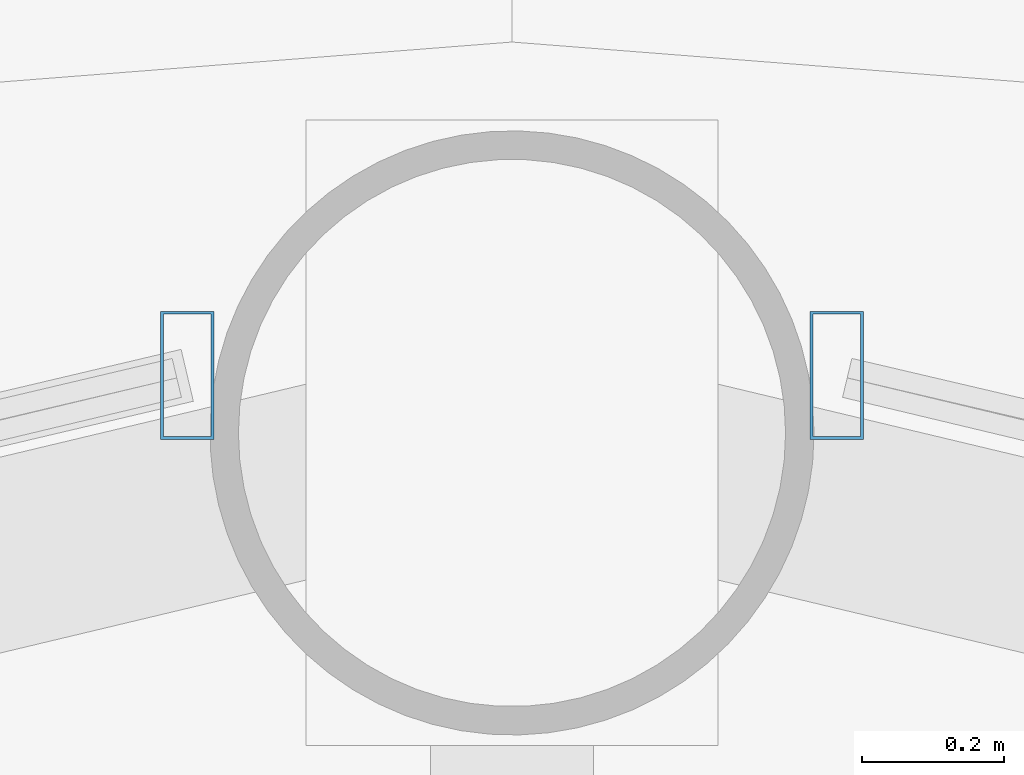
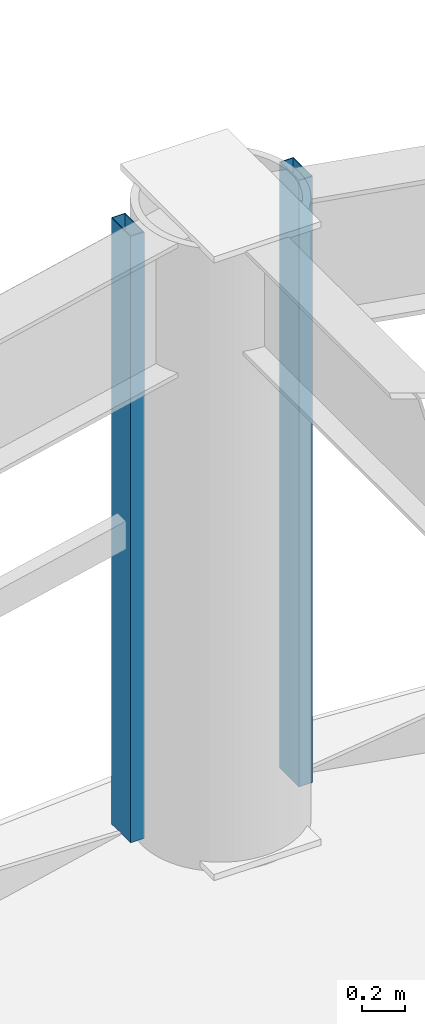
# One storey, part 17 of 33: 2 members, 2 elements without a shape of their own.
"""IFC4 building model written with IfcOpenShell, lengths in metres."""

from ifc_helpers import new_model, si_unit, direction, frame, origin, origin_2d, place, context, subcontext, project, spatial, hollow_rectangle, extrude, material, layer, layer_set, material_profile, profile_set, type_object, element, aggregate, save


model = new_model("IFC4")

# Units and contexts
model_context = context("Model", 3, precision=1e-05, world=origin(), true_north=direction((0.0, 1.0)))
body_context = subcontext(model_context, "Body", "Model", "MODEL_VIEW")
ifc_project = project(units=[si_unit("LENGTHUNIT", "METRE"), si_unit("AREAUNIT", "SQUARE_METRE"), si_unit("VOLUMEUNIT", "CUBIC_METRE"), si_unit("PLANEANGLEUNIT", "RADIAN"), si_unit("MASSUNIT", "GRAM", prefix="KILO")], contexts=[model_context])

# Site, building, storey
site_placement = place(None, origin())
site = spatial("IfcSite", under=ifc_project, at=site_placement, CompositionType="ELEMENT")
building_placement = place(site_placement, origin())
building = spatial("IfcBuilding", under=site, at=building_placement, Name="Vantalir Tower", CompositionType="ELEMENT")
storey_placement = place(building_placement, frame((0.0, 0.0, 68.25)))
storey = spatial("IfcBuildingStorey", under=building, at=storey_placement, Name="L16", CompositionType="ELEMENT", Elevation=68.25)

# Curtain wall, member
ifc_material_1 = material(Name="Champagne-silver PVDF aluminium and double-silver Low-E glass", Category="aluminium")
ifc_layer = layer(ifc_material_1, 0.18994140625)
ifc_layer_set = layer_set([ifc_layer], Name="Champagne-silver PVDF aluminium and double-silver Low-E glass")
curtain_wall_type = type_object("IfcCurtainWallType", Name="CW-DIAMOND-Z1", PredefinedType="USERDEFINED", material=ifc_layer_set)
curtain_wall_1_placement = place(storey_placement, origin())
curtain_wall_1 = element("IfcCurtainWall", 1, at=curtain_wall_1_placement, inside=storey, type_object=curtain_wall_type, Name="L16 Quilted Pyramid-Diamond Curtain Wall S03", ObjectType="UNITISED CURTAIN WALL", PredefinedType="USERDEFINED")
ifc_material_2 = material(Name="Champagne-silver PVDF aluminium 6063-T6", Category="aluminium")
ifc_material_profile = material_profile(ifc_material_2, hollow_rectangle(XDim=0.074951171875, YDim=0.179931640625, WallThickness=0.00390625, at=origin_2d()), Name="Champagne-silver PVDF aluminium 6063-T6")
ifc_profile_set = profile_set([ifc_material_profile], Name="Champagne-silver PVDF aluminium 6063-T6")
member_type = type_object("IfcMemberType", Name="CWM-180x75", PredefinedType="MULLION", material=ifc_profile_set)
member_1_placement = place(storey_placement, frame((31.95703125, 49.7099609375, 0.044921875), z_axis=(0.0, 0.0, 1.0), x_axis=(1.0, 0.0, 0.0)))
member_1 = element("IfcMember", 2, at=member_1_placement, type_object=member_type, Name="CW-L16-S03 Mullion 2", PredefinedType="MULLION", context=body_context, shape_type="SweptSolid", body=[
    extrude(hollow_rectangle(XDim=0.074951171875, YDim=0.179931640625, WallThickness=0.00390625, at=origin_2d()), origin(), (0.0, 0.0, 1.0), 3.47998046875),
])
aggregate(curtain_wall_1, [member_1])

curtain_wall_2_placement = place(storey_placement, origin())
curtain_wall_2 = element("IfcCurtainWall", 3, at=curtain_wall_2_placement, inside=storey, type_object=curtain_wall_type, Name="L16 Quilted Pyramid-Diamond Curtain Wall S04", ObjectType="UNITISED CURTAIN WALL", PredefinedType="USERDEFINED")
member_2_placement = place(storey_placement, frame((31.04296875, 49.7099609375, 0.044921875), z_axis=(0.0, 0.0, 1.0), x_axis=(1.0, 0.0, 0.0)))
member_2 = element("IfcMember", 4, at=member_2_placement, type_object=member_type, Name="CW-L16-S04 Mullion 1", PredefinedType="MULLION", context=body_context, shape_type="SweptSolid", body=[
    extrude(hollow_rectangle(XDim=0.074951171875, YDim=0.179931640625, WallThickness=0.00390625, at=origin_2d()), origin(), (0.0, 0.0, 1.0), 3.47998046875),
])
aggregate(curtain_wall_2, [member_2])

save(model, "model.ifc")
